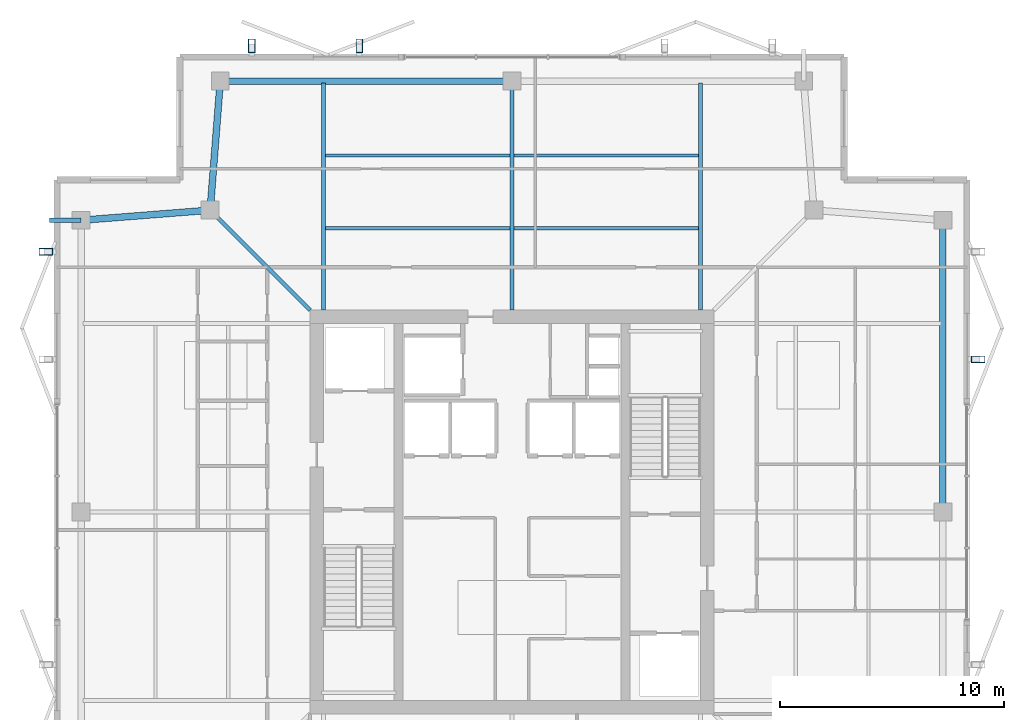
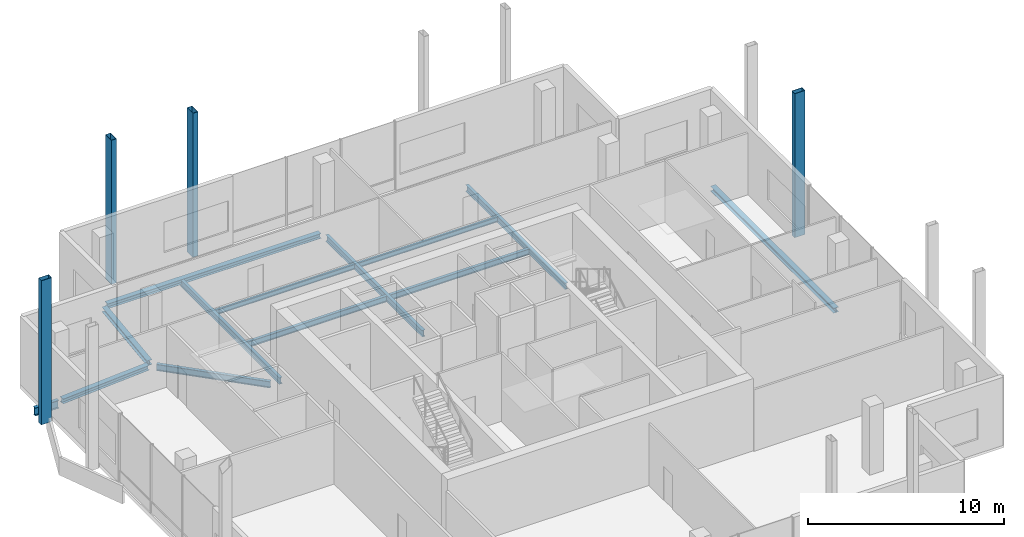
# One storey, part 8 of 15: 13 beams, 4 members.
"""IFC4 building model written with IfcOpenShell, lengths in metres."""

from ifc_helpers import new_model, si_unit, direction, frame, origin, origin_2d, place, context, subcontext, project, spatial, hollow_rectangle, i_section, extrude, material, material_profile, profile_set, type_object, element, save


model = new_model("IFC4")

# Units and contexts
model_context = context("Model", 3, precision=1e-05, world=origin(), true_north=direction((0.0, 1.0)))
body_context = subcontext(model_context, "Body", "Model", "MODEL_VIEW")
ifc_project = project(units=[si_unit("LENGTHUNIT", "METRE"), si_unit("AREAUNIT", "SQUARE_METRE"), si_unit("VOLUMEUNIT", "CUBIC_METRE"), si_unit("PLANEANGLEUNIT", "RADIAN"), si_unit("MASSUNIT", "GRAM", prefix="KILO")], contexts=[model_context])

# Site, building, storey
site_placement = place(None, origin())
site = spatial("IfcSite", under=ifc_project, at=site_placement, CompositionType="ELEMENT")
building_placement = place(site_placement, origin())
building = spatial("IfcBuilding", under=site, at=building_placement, Name="Belovzor Exchange Tower", CompositionType="ELEMENT")
storey_placement = place(building_placement, frame((0.0, 0.0, 360.0)))
storey = spatial("IfcBuildingStorey", under=building, at=storey_placement, Name="L90", CompositionType="ELEMENT", Elevation=360.0)

# Beams
ifc_material_1 = material(Name="Steel S355", Category="steel")
ifc_material_profile_1 = material_profile(ifc_material_1, i_section(OverallWidth=0.199951171875, OverallDepth=0.5, WebThickness=0.01025390625, FlangeThickness=0.01611328125, at=origin_2d()))
ifc_profile_set_1 = profile_set([ifc_material_profile_1], Name="Steel S355")
beam_type_1 = type_object("IfcBeamType", Name="Planted Balcony Cantilever Beam IPE 500", PredefinedType="BEAM", material=ifc_profile_set_1)
beam_1_placement = place(storey_placement, frame((9.60009765625, 41.800048828125, -0.510009765625), z_axis=(-1.0, 0.0, 0.0), x_axis=(0.0, -1.0, 0.0)))
element("IfcBeam", 1, at=beam_1_placement, inside=storey, type_object=beam_type_1, Name="BC-500 Planted Balcony Cantilever Beam IPE 500", PredefinedType="BEAM", context=body_context, shape_type="SweptSolid", body=[
    extrude(i_section(OverallWidth=0.199951171875, OverallDepth=0.5, WebThickness=0.01025390625, FlangeThickness=0.01611328125, at=origin_2d()), origin(), (0.0, 0.0, 1.0), 1.400146484375),
])
ifc_material_2 = material(Name="Steel S355", Category="steel")
ifc_material_profile_2 = material_profile(ifc_material_2, i_section(OverallWidth=0.169921875, OverallDepth=0.360107421875, WebThickness=0.008056640625, FlangeThickness=0.0126953125, at=origin_2d()))
ifc_profile_set_2 = profile_set([ifc_material_profile_2], Name="Steel S355")
beam_type_2 = type_object("IfcBeamType", Name="Secondary Infill Floor Joist IPE 360", PredefinedType="BEAM", material=ifc_profile_set_2)
beam_2_placement = place(storey_placement, frame((20.489990234375, 41.445068359375, -0.43994140625), z_axis=(1.0, 0.0, 0.0), x_axis=(0.0, 1.0, 0.0)))
element("IfcBeam", 2, at=beam_2_placement, inside=storey, type_object=beam_type_2, Name="FJ-360 Secondary Infill Floor Joist IPE 360", PredefinedType="BEAM", context=body_context, shape_type="SweptSolid", body=[
    extrude(i_section(OverallWidth=0.169921875, OverallDepth=0.360107421875, WebThickness=0.008056640625, FlangeThickness=0.0126953125, at=origin_2d()), origin(), (0.0, 0.0, 1.0), 8.219970703125),
])
beam_3_placement = place(storey_placement, frame((28.889892578125, 41.445068359375, -0.43994140625), z_axis=(1.0, 0.0, 0.0), x_axis=(0.0, 1.0, 0.0)))
element("IfcBeam", 3, at=beam_3_placement, inside=storey, type_object=beam_type_2, Name="FJ-360 Secondary Infill Floor Joist IPE 360", PredefinedType="BEAM", context=body_context, shape_type="SweptSolid", body=[
    extrude(i_section(OverallWidth=0.169921875, OverallDepth=0.360107421875, WebThickness=0.008056640625, FlangeThickness=0.0126953125, at=origin_2d()), origin(), (0.0, 0.0, 1.0), 8.22021484375),
])
ifc_material_3 = material(Name="Steel S355", Category="steel")
ifc_material_profile_3 = material_profile(ifc_material_3, i_section(OverallWidth=0.14990234375, OverallDepth=0.300048828125, WebThickness=0.007080078125, FlangeThickness=0.0107421875, at=origin_2d()))
ifc_profile_set_3 = profile_set([ifc_material_profile_3], Name="Steel S355")
beam_type_3 = type_object("IfcBeamType", Name="Secondary Trim Floor Joist IPE 300", PredefinedType="BEAM", material=ifc_profile_set_3)
beam_4_placement = place(storey_placement, frame((20.489990234375, 44.68505859375, -0.409912109375), z_axis=(1.0, 0.0, 0.0), x_axis=(0.0, 1.0, 0.0)))
element("IfcBeam", 4, at=beam_4_placement, inside=storey, type_object=beam_type_3, Name="FJ-300 Secondary Trim Floor Joist IPE 300", PredefinedType="BEAM", context=body_context, shape_type="SweptSolid", body=[
    extrude(i_section(OverallWidth=0.14990234375, OverallDepth=0.300048828125, WebThickness=0.007080078125, FlangeThickness=0.0107421875, at=origin_2d()), origin(), (0.0, 0.0, 1.0), 8.219970703125),
])
beam_5_placement = place(storey_placement, frame((28.889892578125, 44.68505859375, -0.409912109375), z_axis=(1.0, 0.0, 0.0), x_axis=(0.0, 1.0, 0.0)))
element("IfcBeam", 5, at=beam_5_placement, inside=storey, type_object=beam_type_3, Name="FJ-300 Secondary Trim Floor Joist IPE 300", PredefinedType="BEAM", context=body_context, shape_type="SweptSolid", body=[
    extrude(i_section(OverallWidth=0.14990234375, OverallDepth=0.300048828125, WebThickness=0.007080078125, FlangeThickness=0.0107421875, at=origin_2d()), origin(), (0.0, 0.0, 1.0), 8.22021484375),
])

# Members
ifc_material_4 = material(Name="Extruded Architectural Terracotta on Steel S355 Carrier", Category="masonry")
ifc_material_profile_4 = material_profile(ifc_material_4, hollow_rectangle(XDim=0.300048828125, YDim=0.60009765625, WallThickness=0.01611328125, at=origin_2d()))
ifc_profile_set_4 = profile_set([ifc_material_profile_4], Name="Extruded Architectural Terracotta on Steel S355 Carrier")
member_type = type_object("IfcMemberType", Name="Upper Crown Terracotta Fin Assembly 550", PredefinedType="USERDEFINED", material=ifc_profile_set_4)
for number, where, z_axis, x_axis, name in (
    (6, (17.199951171875, 49.574951171875, -0.260009765625), (0.0, 0.0, 1.0), (1.0, 0.0, 0.0), "FIN-TC055 Terracotta Facade Fin L90 N1"),
    (7, (22.0, 49.574951171875, -0.260009765625), (0.0, 0.0, 1.0), (1.0, 0.0, 0.0), "FIN-TC055 Terracotta Facade Fin L90 N2"),
    (8, (49.574951171875, 35.60009765625, -0.260009765625), (0.0, 0.0, 1.0), (0.0, 1.0, 0.0), "FIN-TC055 Terracotta Facade Fin L90 E3"),
    (9, (8.02490234375, 40.39990234375, -0.260009765625), (0.0, 0.0, 1.0), (0.0, 1.0, 0.0), "FIN-TC055 Terracotta Facade Fin L90 W4"),
):
    element("IfcMember", number, at=place(storey_placement, frame(where, z_axis=z_axis, x_axis=x_axis)), inside=storey, type_object=member_type, Name=name, ObjectType="FIN", PredefinedType="USERDEFINED", context=body_context, shape_type="SweptSolid", body=[
        extrude(hollow_rectangle(XDim=0.300048828125, YDim=0.60009765625, WallThickness=0.01611328125, at=origin_2d()), origin(), (0.0, 0.0, 1.0), 8.9599609375),
    ])

# Beams
ifc_material_5 = material(Name="Steel S355", Category="steel")
ifc_material_profile_5 = material_profile(ifc_material_5, i_section(OverallWidth=0.179931640625, OverallDepth=0.39990234375, WebThickness=0.008544921875, FlangeThickness=0.013427734375, at=origin_2d()))
ifc_profile_set_5 = profile_set([ifc_material_profile_5], Name="Steel S355")
beam_type_4 = type_object("IfcBeamType", Name="Zone 5-6 Radial Composite Floor Beam IPE 400", PredefinedType="BEAM", material=ifc_profile_set_5)
beam_6_placement = place(storey_placement, frame((20.39990234375, 37.800048828125, -0.4599609375), z_axis=(0.0, 1.0, 0.0), x_axis=(-1.0, 0.0, 0.0)))
element("IfcBeam", 10, at=beam_6_placement, inside=storey, type_object=beam_type_4, Name="FB-400 Zone 5-6 Radial Composite Floor Beam IPE 400", PredefinedType="BEAM", context=body_context, shape_type="SweptSolid", body=[
    extrude(i_section(OverallWidth=0.179931640625, OverallDepth=0.39990234375, WebThickness=0.008544921875, FlangeThickness=0.013427734375, at=origin_2d()), origin(), (0.0, 0.0, 1.0), 10.125),
])
beam_7_placement = place(storey_placement, frame((28.800048828125, 37.800048828125, -0.4599609375), z_axis=(0.0, 1.0, 0.0), x_axis=(-1.0, 0.0, 0.0)))
element("IfcBeam", 11, at=beam_7_placement, inside=storey, type_object=beam_type_4, Name="FB-400 Zone 5-6 Radial Composite Floor Beam IPE 400", PredefinedType="BEAM", context=body_context, shape_type="SweptSolid", body=[
    extrude(i_section(OverallWidth=0.179931640625, OverallDepth=0.39990234375, WebThickness=0.008544921875, FlangeThickness=0.013427734375, at=origin_2d()), origin(), (0.0, 0.0, 1.0), 9.847900390625),
])
beam_8_placement = place(storey_placement, frame((37.199951171875, 37.800048828125, -0.4599609375), z_axis=(0.0, 1.0, 0.0), x_axis=(-1.0, 0.0, 0.0)))
element("IfcBeam", 12, at=beam_8_placement, inside=storey, type_object=beam_type_4, Name="FB-400 Zone 5-6 Radial Composite Floor Beam IPE 400", PredefinedType="BEAM", context=body_context, shape_type="SweptSolid", body=[
    extrude(i_section(OverallWidth=0.179931640625, OverallDepth=0.39990234375, WebThickness=0.008544921875, FlangeThickness=0.013427734375, at=origin_2d()), origin(), (0.0, 0.0, 1.0), 10.125),
])
beam_9_placement = place(storey_placement, frame((19.800048828125, 37.800048828125, -0.4599609375), z_axis=(-0.707106781187, 0.707106781187, 0.0), x_axis=(-0.707106781187, -0.707106781187, 0.0)))
element("IfcBeam", 13, at=beam_9_placement, inside=storey, type_object=beam_type_4, Name="FB-400 Zone 5-6 Radial Composite Floor Beam IPE 400", PredefinedType="BEAM", context=body_context, shape_type="SweptSolid", body=[
    extrude(i_section(OverallWidth=0.179931640625, OverallDepth=0.39990234375, WebThickness=0.008544921875, FlangeThickness=0.013427734375, at=origin_2d()), origin(), (0.0, 0.0, 1.0), 6.010498046875),
])
ifc_material_6 = material(Name="Steel S355", Category="steel")
ifc_material_profile_6 = material_profile(ifc_material_6, i_section(OverallWidth=0.300048828125, OverallDepth=0.300048828125, WebThickness=0.008544921875, FlangeThickness=0.013916015625, at=origin_2d()))
ifc_profile_set_6 = profile_set([ifc_material_profile_6], Name="Steel S355")
beam_type_5 = type_object("IfcBeamType", Name="Zone 6 Primary Girder HEA 300", PredefinedType="BEAM", material=ifc_profile_set_6)
for number, where, z_axis, x_axis, name in (
    (14, (48.0, 29.02001953125, -0.409912109375), (0.0, 1.0, 0.0), (-1.0, 0.0, 0.0), "FG-Z6 Zone 6 Primary Girder HEA 300"),
    (15, (28.580078125, 48.0, -0.409912109375), (-1.0, 0.0, 0.0), (0.0, -1.0, 0.0), "FG-Z6 Zone 6 Primary Girder HEA 300"),
):
    element("IfcBeam", number, at=place(storey_placement, frame(where, z_axis=z_axis, x_axis=x_axis)), inside=storey, type_object=beam_type_5, Name=name, PredefinedType="BEAM", context=body_context, shape_type="SweptSolid", body=[
        extrude(i_section(OverallWidth=0.300048828125, OverallDepth=0.300048828125, WebThickness=0.008544921875, FlangeThickness=0.013916015625, at=origin_2d()), origin(), (0.0, 0.0, 1.0), 12.56005859375),
    ])
for number, where, z_axis, x_axis, name in (
    (16, (15.782958984375, 47.781005859375, -0.409912109375), (-0.078076949164, -0.996947335625, 0.0), (0.996947335625, -0.078076949164, 0.0), "FG-Z6 Zone 6 Primary Girder HEA 300"),
    (17, (15.131103515625, 42.23291015625, -0.409912109375), (-0.996947335625, -0.078076949164, 0.0), (0.078076949164, -0.996947335625, 0.0), "FG-Z6 Zone 6 Primary Girder HEA 300"),
):
    element("IfcBeam", number, at=place(storey_placement, frame(where, z_axis=z_axis, x_axis=x_axis)), inside=storey, type_object=beam_type_5, Name=name, PredefinedType="BEAM", context=body_context, shape_type="SweptSolid", body=[
        extrude(i_section(OverallWidth=0.300048828125, OverallDepth=0.300048828125, WebThickness=0.008544921875, FlangeThickness=0.013916015625, at=origin_2d()), origin(), (0.0, 0.0, 1.0), 5.328369140625),
    ])

save(model, "model.ifc")
